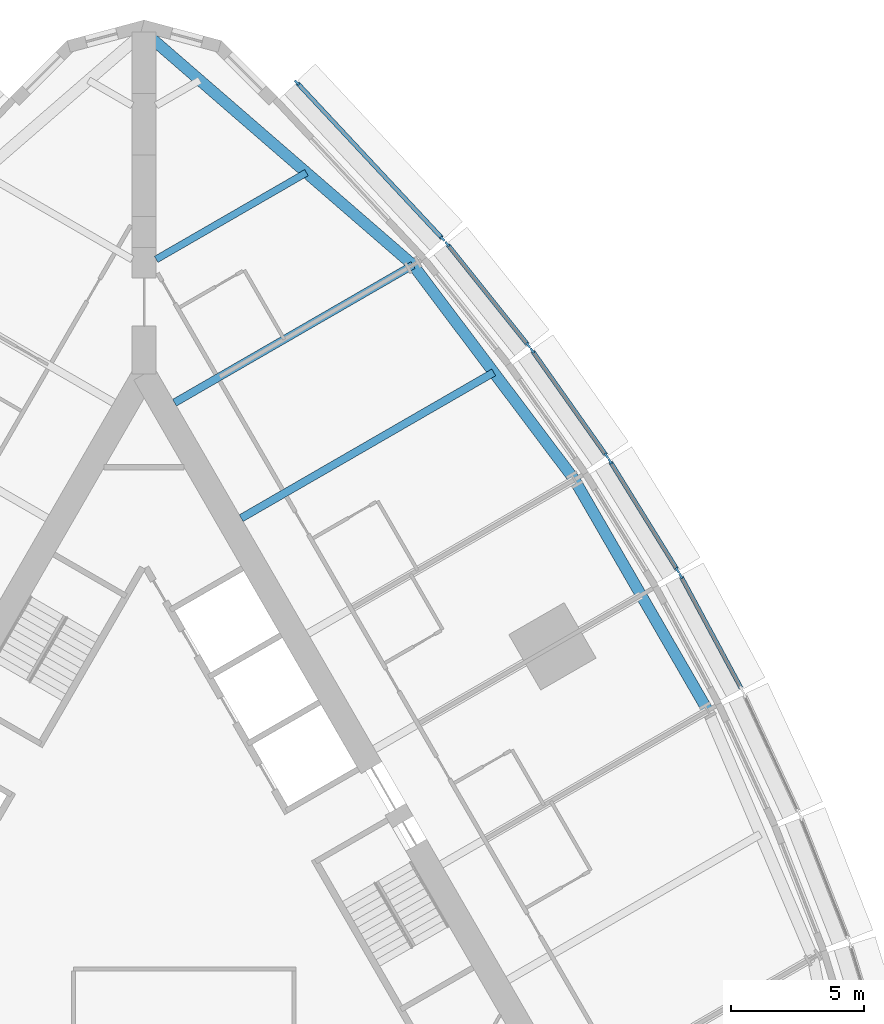
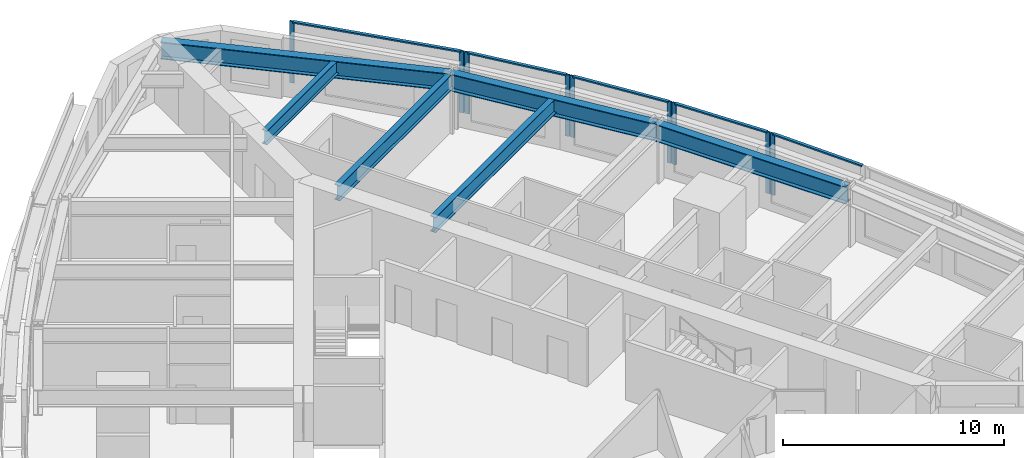
# One storey, part 5 of 14: 14 members, 6 beams, 5 elements without a shape of their own.
"""IFC4 building model written with IfcOpenShell, lengths in metres."""

from ifc_helpers import new_model, si_unit, direction, frame, origin, origin_2d, place, context, subcontext, project, spatial, rectangle, i_section, extrude, material, material_profile, profile_set, type_object, element, aggregate, save


model = new_model("IFC4")

# Units and contexts
model_context = context("Model", 3, precision=1e-05, world=origin(), true_north=direction((0.0, 1.0)))
body_context = subcontext(model_context, "Body", "Model", "MODEL_VIEW")
ifc_project = project(units=[si_unit("LENGTHUNIT", "METRE"), si_unit("AREAUNIT", "SQUARE_METRE"), si_unit("VOLUMEUNIT", "CUBIC_METRE"), si_unit("PLANEANGLEUNIT", "RADIAN"), si_unit("MASSUNIT", "GRAM", prefix="KILO")], contexts=[model_context])

# Site, building, storey
site_placement = place(None, origin())
site = spatial("IfcSite", under=ifc_project, at=site_placement, CompositionType="ELEMENT")
building_placement = place(site_placement, origin())
building = spatial("IfcBuilding", under=site, at=building_placement, Name="Trikona Tower", CompositionType="ELEMENT")
storey_placement = place(building_placement, frame((0.0, 0.0, 62.5)))
storey = spatial("IfcBuildingStorey", under=building, at=storey_placement, Name="L15", CompositionType="ELEMENT", Elevation=62.5)

# Curtain wall, member
ifc_material_1 = material(Name="Aluminium curtain wall system", Category="aluminium")
curtain_wall_type = type_object("IfcCurtainWallType", Name="Curtain wall DS1", PredefinedType="NOTDEFINED", material=ifc_material_1)
curtain_wall_1_placement = place(storey_placement, origin())
curtain_wall_1 = element("IfcCurtainWall", 1, at=curtain_wall_1_placement, inside=storey, type_object=curtain_wall_type, Name="Curtain wall DS1 L15", PredefinedType="NOTDEFINED")
ifc_material_2 = material(Name="Aluminium mullion, pale anodised", Category="aluminium")
ifc_material_profile_1 = material_profile(ifc_material_2, rectangle(XDim=0.080078125, YDim=0.219970703125, at=origin_2d()), Name="MUL-DS1")
ifc_profile_set_1 = profile_set([ifc_material_profile_1], Name="Aluminium mullion, pale anodised")
member_type_1 = type_object("IfcMemberType", Name="Mullion DS1 80x220", PredefinedType="MULLION", material=ifc_profile_set_1)
member_1_placement = place(storey_placement, frame((20.128662109375, 11.474365234375, 0.0), z_axis=(0.0, 0.0, 1.0), x_axis=(-0.880843080975, -0.473408350896, 0.0)))
member_1 = element("IfcMember", 2, at=member_1_placement, type_object=member_type_1, Name="CW-DS1 mullion 2", PredefinedType="MULLION", context=body_context, shape_type="SweptSolid", body=[
    extrude(rectangle(XDim=0.080078125, YDim=0.219970703125, at=origin_2d()), origin(), (0.0, 0.0, 1.0), 3.39990234375),
])

# Curtain wall, members
curtain_wall_2_placement = place(storey_placement, origin())
curtain_wall_2 = element("IfcCurtainWall", 3, at=curtain_wall_2_placement, inside=storey, type_object=curtain_wall_type, Name="Curtain wall DS1 L15", PredefinedType="NOTDEFINED")
member_2_placement = place(storey_placement, frame((20.00146484375, 11.69482421875, 0.0), z_axis=(0.0, 0.0, 1.0), x_axis=(-0.850410468941, -0.526119790842, 0.0)))
member_2 = element("IfcMember", 4, at=member_2_placement, type_object=member_type_1, Name="CW-DS1 mullion 1", PredefinedType="MULLION", context=body_context, shape_type="SweptSolid", body=[
    extrude(rectangle(XDim=0.080078125, YDim=0.219970703125, at=origin_2d()), origin(), (0.0, 0.0, 1.0), 3.39990234375),
])
member_3_placement = place(storey_placement, frame((17.474853515625, 15.77880859375, 0.0), z_axis=(0.0, 0.0, 1.0), x_axis=(-0.850410468941, -0.526119790842, 0.0)))
member_3 = element("IfcMember", 5, at=member_3_placement, type_object=member_type_1, Name="CW-DS1 mullion 2", PredefinedType="MULLION", context=body_context, shape_type="SweptSolid", body=[
    extrude(rectangle(XDim=0.080078125, YDim=0.219970703125, at=origin_2d()), origin(), (0.0, 0.0, 1.0), 3.39990234375),
])

curtain_wall_3_placement = place(storey_placement, origin())
curtain_wall_3 = element("IfcCurtainWall", 6, at=curtain_wall_3_placement, inside=storey, type_object=curtain_wall_type, Name="Curtain wall DS1 L15", PredefinedType="NOTDEFINED")
member_4_placement = place(storey_placement, frame((17.33447265625, 15.990966796875, 0.0), z_axis=(0.0, 0.0, 1.0), x_axis=(-0.816985393055, -0.576658362928, 0.0)))
member_4 = element("IfcMember", 7, at=member_4_placement, type_object=member_type_1, Name="CW-DS1 mullion 1", PredefinedType="MULLION", context=body_context, shape_type="SweptSolid", body=[
    extrude(rectangle(XDim=0.080078125, YDim=0.219970703125, at=origin_2d()), origin(), (0.0, 0.0, 1.0), 3.39990234375),
])
member_5_placement = place(storey_placement, frame((14.554443359375, 19.929443359375, 0.0), z_axis=(0.0, 0.0, 1.0), x_axis=(-0.816985393055, -0.576658362928, 0.0)))
member_5 = element("IfcMember", 8, at=member_5_placement, type_object=member_type_1, Name="CW-DS1 mullion 2", PredefinedType="MULLION", context=body_context, shape_type="SweptSolid", body=[
    extrude(rectangle(XDim=0.080078125, YDim=0.219970703125, at=origin_2d()), origin(), (0.0, 0.0, 1.0), 3.39990234375),
])

curtain_wall_4_placement = place(storey_placement, origin())
curtain_wall_4 = element("IfcCurtainWall", 9, at=curtain_wall_4_placement, inside=storey, type_object=curtain_wall_type, Name="Curtain wall DS1 L15", PredefinedType="NOTDEFINED")
member_6_placement = place(storey_placement, frame((14.40185546875, 20.13232421875, 0.0), z_axis=(0.0, 0.0, 1.0), x_axis=(-0.780937959679, -0.624608599951, 0.0)))
member_6 = element("IfcMember", 10, at=member_6_placement, type_object=member_type_1, Name="CW-DS1 mullion 1", PredefinedType="MULLION", context=body_context, shape_type="SweptSolid", body=[
    extrude(rectangle(XDim=0.080078125, YDim=0.219970703125, at=origin_2d()), origin(), (0.0, 0.0, 1.0), 3.39990234375),
])
member_7_placement = place(storey_placement, frame((11.36767578125, 23.926025390625, 0.0), z_axis=(0.0, 0.0, 1.0), x_axis=(-0.780937959679, -0.624608599951, 0.0)))
member_7 = element("IfcMember", 11, at=member_7_placement, type_object=member_type_1, Name="CW-DS1 mullion 2", PredefinedType="MULLION", context=body_context, shape_type="SweptSolid", body=[
    extrude(rectangle(XDim=0.080078125, YDim=0.219970703125, at=origin_2d()), origin(), (0.0, 0.0, 1.0), 3.39990234375),
])

curtain_wall_5_placement = place(storey_placement, origin())
curtain_wall_5 = element("IfcCurtainWall", 12, at=curtain_wall_5_placement, inside=storey, type_object=curtain_wall_type, Name="Curtain wall DS1 L15", PredefinedType="NOTDEFINED")
member_8_placement = place(storey_placement, frame((11.192138671875, 24.129150390625, 0.0), z_axis=(0.0, 0.0, 1.0), x_axis=(-0.731076639405, -0.682295351967, 0.0)))
member_8 = element("IfcMember", 13, at=member_8_placement, type_object=member_type_1, Name="CW-DS1 mullion 1", PredefinedType="MULLION", context=body_context, shape_type="SweptSolid", body=[
    extrude(rectangle(XDim=0.080078125, YDim=0.219970703125, at=origin_2d()), origin(), (0.0, 0.0, 1.0), 3.39990234375),
])
member_9_placement = place(storey_placement, frame((5.72607421875, 29.98583984375, 0.0), z_axis=(0.0, 0.0, 1.0), x_axis=(-0.731076639405, -0.682295351967, 0.0)))
member_9 = element("IfcMember", 14, at=member_9_placement, type_object=member_type_1, Name="CW-DS1 mullion 2", PredefinedType="MULLION", context=body_context, shape_type="SweptSolid", body=[
    extrude(rectangle(XDim=0.080078125, YDim=0.219970703125, at=origin_2d()), origin(), (0.0, 0.0, 1.0), 3.39990234375),
])

# Beams
ifc_material_3 = material(Name="Steel ASTM A992 Grade 50", Category="steel")
ifc_material_profile_2 = material_profile(ifc_material_3, i_section(OverallWidth=0.2666015625, OverallDepth=0.76953125, WebThickness=0.015625, FlangeThickness=0.025390625, at=origin_2d()), Name="W30X132")
ifc_profile_set_2 = profile_set([ifc_material_profile_2], Name="Steel ASTM A992 Grade 50")
beam_type_1 = type_object("IfcBeamType", Name="Steel beam W30x132 (wedge)", PredefinedType="BEAM", material=ifc_profile_set_2)
beam_1_placement = place(storey_placement, frame((0.449951171875, 23.353759765625, 2.85009765625), z_axis=(0.866022504693, 0.50000502134, 0.0), x_axis=(-0.50000502134, 0.866022504693, 0.0)))
element("IfcBeam", 15, at=beam_1_placement, inside=storey, type_object=beam_type_1, Name="Floor beam L16 F2 u20", PredefinedType="BEAM", context=body_context, shape_type="SweptSolid", body=[
    extrude(i_section(OverallWidth=0.2666015625, OverallDepth=0.76953125, WebThickness=0.015625, FlangeThickness=0.025390625, at=origin_2d()), origin(), (0.0, 0.0, 1.0), 6.5068359375),
])
ifc_material_4 = material(Name="Steel ASTM A992 Grade 50", Category="steel")
ifc_material_profile_3 = material_profile(ifc_material_4, i_section(OverallWidth=0.2919921875, OverallDepth=0.845703125, WebThickness=0.015380859375, FlangeThickness=0.0244140625, at=origin_2d()), Name="W33X141")
ifc_profile_set_3 = profile_set([ifc_material_profile_3], Name="Steel ASTM A992 Grade 50")
beam_type_2 = type_object("IfcBeamType", Name="Steel beam W33x141 (radial typ)", PredefinedType="BEAM", material=ifc_profile_set_3)
beam_2_placement = place(storey_placement, frame((3.6396484375, 13.6484375, 2.81201171875), z_axis=(0.866025348605, 0.500000095573, 0.0), x_axis=(-0.500000095573, 0.866025348605, 0.0)))
element("IfcBeam", 16, at=beam_2_placement, inside=storey, type_object=beam_type_2, Name="Floor beam L16 F2 u10", PredefinedType="BEAM", context=body_context, shape_type="SweptSolid", body=[
    extrude(i_section(OverallWidth=0.2919921875, OverallDepth=0.845703125, WebThickness=0.015380859375, FlangeThickness=0.0244140625, at=origin_2d()), origin(), (0.0, 0.0, 1.0), 10.935546875),
])
beam_3_placement = place(storey_placement, frame((1.1396484375, 17.978515625, 2.81201171875), z_axis=(0.866030471684, 0.499991222037, 0.0), x_axis=(-0.499991222037, 0.866030471684, 0.0)))
element("IfcBeam", 17, at=beam_3_placement, inside=storey, type_object=beam_type_2, Name="Floor beam L16 F2 u15", PredefinedType="BEAM", context=body_context, shape_type="SweptSolid", body=[
    extrude(i_section(OverallWidth=0.2919921875, OverallDepth=0.845703125, WebThickness=0.015380859375, FlangeThickness=0.0244140625, at=origin_2d()), origin(), (0.0, 0.0, 1.0), 10.326904296875),
])
ifc_material_5 = material(Name="Steel ASTM A992 Grade 50", Category="steel")
ifc_material_profile_4 = material_profile(ifc_material_5, i_section(OverallWidth=0.424072265625, OverallDepth=0.947509765625, WebThickness=0.02392578125, FlangeThickness=0.042724609375, at=origin_2d()), Name="W36X302")
ifc_profile_set_4 = profile_set([ifc_material_profile_4], Name="Steel ASTM A992 Grade 50")
beam_type_3 = type_object("IfcBeamType", Name="Steel beam W36x302 (spandrel)", PredefinedType="SPANDREL", material=ifc_profile_set_4)
beam_4_placement = place(storey_placement, frame((21.13720703125, 6.43017578125, 2.76123046875), z_axis=(-0.500004234368, 0.866022959057, 0.0), x_axis=(-0.866022959057, -0.500004234368, 0.0)))
element("IfcBeam", 18, at=beam_4_placement, inside=storey, type_object=beam_type_3, Name="Spandrel beam L16 F2-3", PredefinedType="SPANDREL", context=body_context, shape_type="SweptSolid", body=[
    extrude(i_section(OverallWidth=0.424072265625, OverallDepth=0.947509765625, WebThickness=0.02392578125, FlangeThickness=0.042724609375, at=origin_2d()), origin(), (0.0, 0.0, 1.0), 10.0),
])
beam_5_placement = place(storey_placement, frame((16.13720703125, 15.09033203125, 2.76123046875), z_axis=(-0.600988344191, 0.799257787042, 0.0), x_axis=(-0.799257787042, -0.600988344191, 0.0)))
element("IfcBeam", 19, at=beam_5_placement, inside=storey, type_object=beam_type_3, Name="Spandrel beam L16 F2-4", PredefinedType="SPANDREL", context=body_context, shape_type="SweptSolid", body=[
    extrude(i_section(OverallWidth=0.424072265625, OverallDepth=0.947509765625, WebThickness=0.02392578125, FlangeThickness=0.042724609375, at=origin_2d()), origin(), (0.0, 0.0, 1.0), 10.07373046875),
])
beam_6_placement = place(storey_placement, frame((10.0830078125, 23.141845703125, 2.76123046875), z_axis=(-0.755646822726, 0.654979296851, 0.0), x_axis=(-0.654979296851, -0.755646822726, 0.0)))
element("IfcBeam", 20, at=beam_6_placement, inside=storey, type_object=beam_type_3, Name="Spandrel beam L16 F2-5", PredefinedType="SPANDREL", context=body_context, shape_type="SweptSolid", body=[
    extrude(i_section(OverallWidth=0.424072265625, OverallDepth=0.947509765625, WebThickness=0.02392578125, FlangeThickness=0.042724609375, at=origin_2d()), origin(), (0.0, 0.0, 1.0), 13.343505859375),
])

# Member
ifc_material_6 = material(Name="Aluminium transom, pale anodised", Category="aluminium")
ifc_material_profile_5 = material_profile(ifc_material_6, rectangle(XDim=0.159912109375, YDim=0.080078125, at=origin_2d()), Name="TRN-DS1")
ifc_profile_set_5 = profile_set([ifc_material_profile_5], Name="Aluminium transom, pale anodised")
member_type_2 = type_object("IfcMemberType", Name="Transom DS1 80x160", PredefinedType="USERDEFINED", material=ifc_profile_set_5)
member_10_placement = place(storey_placement, frame((22.38330078125, 7.279541015625, 3.360107421875), z_axis=(-0.473427569755, 0.880832751546, 0.0), x_axis=(-0.880832751546, -0.473427569755, 0.0)))
member_10 = element("IfcMember", 21, at=member_10_placement, type_object=member_type_2, Name="CW-DS1 transom 1.1", ObjectType="TRANSOM", PredefinedType="USERDEFINED", context=body_context, shape_type="SweptSolid", body=[
    extrude(rectangle(XDim=0.159912109375, YDim=0.080078125, at=origin_2d()), origin(), (0.0, 0.0, 1.0), 4.72216796875),
])

aggregate(curtain_wall_1, [member_1, member_10])

member_11_placement = place(storey_placement, frame((19.980224609375, 11.728759765625, 3.360107421875), z_axis=(-0.526080502257, 0.850434774186, 0.0), x_axis=(-0.850434774186, -0.526080502257, 0.0)))
member_11 = element("IfcMember", 22, at=member_11_placement, type_object=member_type_2, Name="CW-DS1 transom 1.1", ObjectType="TRANSOM", PredefinedType="USERDEFINED", context=body_context, shape_type="SweptSolid", body=[
    extrude(rectangle(XDim=0.159912109375, YDim=0.080078125, at=origin_2d()), origin(), (0.0, 0.0, 1.0), 4.722412109375),
])

aggregate(curtain_wall_2, [member_2, member_3, member_11])

member_12_placement = place(storey_placement, frame((17.311279296875, 16.023681640625, 3.360107421875), z_axis=(-0.57664478015, 0.816994980111, 0.0), x_axis=(-0.816994980111, -0.57664478015, 0.0)))
member_12 = element("IfcMember", 23, at=member_12_placement, type_object=member_type_2, Name="CW-DS1 transom 1.1", ObjectType="TRANSOM", PredefinedType="USERDEFINED", context=body_context, shape_type="SweptSolid", body=[
    extrude(rectangle(XDim=0.159912109375, YDim=0.080078125, at=origin_2d()), origin(), (0.0, 0.0, 1.0), 4.740478515625),
])

aggregate(curtain_wall_3, [member_4, member_5, member_12])

member_13_placement = place(storey_placement, frame((14.376953125, 20.16357421875, 3.360107421875), z_axis=(-0.624589103832, 0.780953552636, 0.0), x_axis=(-0.780953552636, -0.624589103832, 0.0)))
member_13 = element("IfcMember", 24, at=member_13_placement, type_object=member_type_2, Name="CW-DS1 transom 1.1", ObjectType="TRANSOM", PredefinedType="USERDEFINED", context=body_context, shape_type="SweptSolid", body=[
    extrude(rectangle(XDim=0.159912109375, YDim=0.080078125, at=origin_2d()), origin(), (0.0, 0.0, 1.0), 4.77783203125),
])

aggregate(curtain_wall_4, [member_6, member_7, member_13])

member_14_placement = place(storey_placement, frame((11.164794921875, 24.158203125, 3.360107421875), z_axis=(-0.682290830921, 0.731080858758, 0.0), x_axis=(-0.731080858758, -0.682290830921, 0.0)))
member_14 = element("IfcMember", 25, at=member_14_placement, type_object=member_type_2, Name="CW-DS1 transom 1.1", ObjectType="TRANSOM", PredefinedType="USERDEFINED", context=body_context, shape_type="SweptSolid", body=[
    extrude(rectangle(XDim=0.159912109375, YDim=0.080078125, at=origin_2d()), origin(), (0.0, 0.0, 1.0), 7.93115234375),
])

aggregate(curtain_wall_5, [member_8, member_9, member_14])

save(model, "model.ifc")
